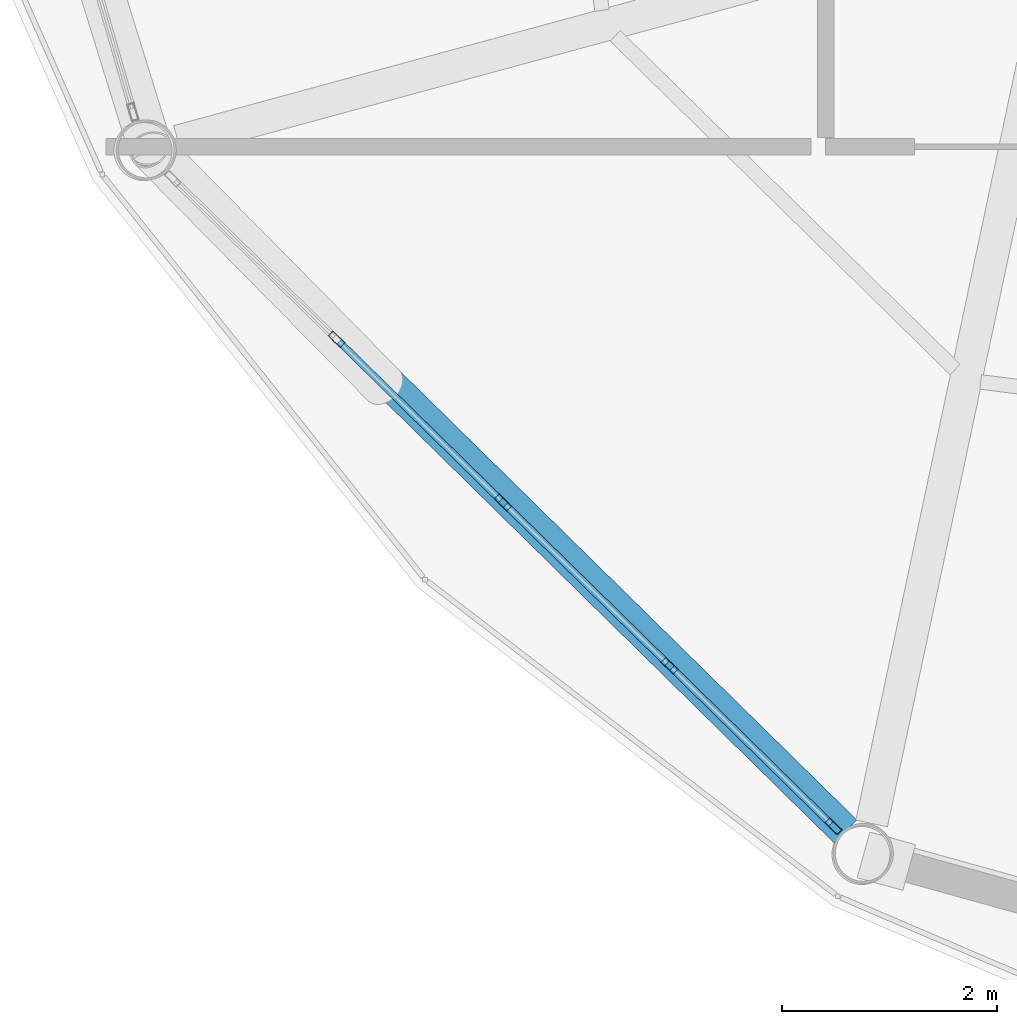
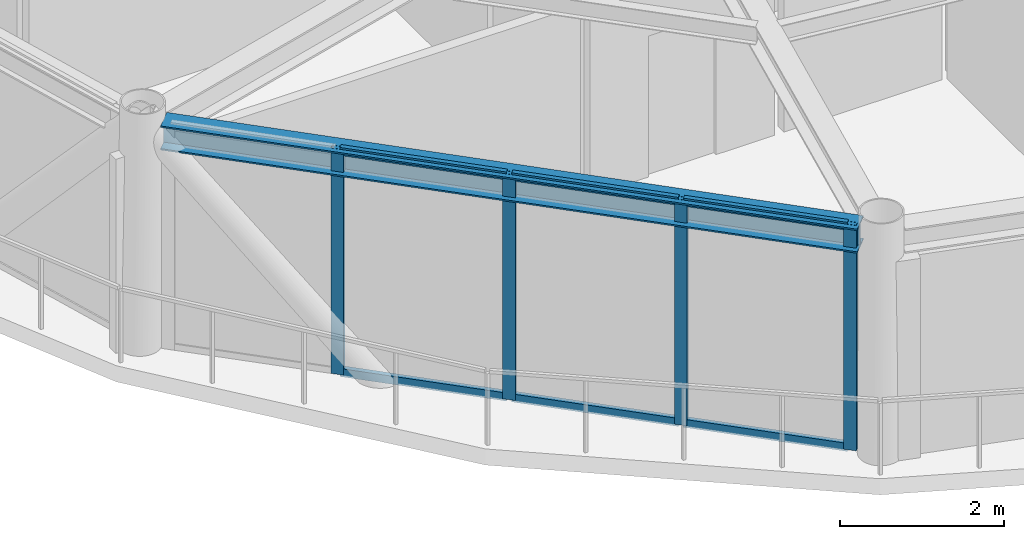
# One storey, part 2 of 26: 10 members, 1 beam, 1 element without a shape of its own.
"""IFC4 building model written with IfcOpenShell, lengths in metres."""

from ifc_helpers import new_model, si_unit, direction, frame, origin, origin_2d, place, context, subcontext, project, spatial, hollow_rectangle, i_section, extrude, material, layer, layer_set, material_profile, profile_set, type_object, element, aggregate, save


model = new_model("IFC4")

# Units and contexts
model_context = context("Model", 3, precision=1e-05, world=origin(), true_north=direction((0.0, 1.0)))
body_context = subcontext(model_context, "Body", "Model", "MODEL_VIEW")
ifc_project = project(units=[si_unit("LENGTHUNIT", "METRE"), si_unit("AREAUNIT", "SQUARE_METRE"), si_unit("VOLUMEUNIT", "CUBIC_METRE"), si_unit("PLANEANGLEUNIT", "RADIAN"), si_unit("MASSUNIT", "GRAM", prefix="KILO")], contexts=[model_context])

# Site, building, storey
site_placement = place(None, origin())
site = spatial("IfcSite", under=ifc_project, at=site_placement, CompositionType="ELEMENT")
building_placement = place(site_placement, origin())
building = spatial("IfcBuilding", under=site, at=building_placement, Name="Varnakorn Sky Granary", CompositionType="ELEMENT")
storey_placement = place(building_placement, frame((0.0, 0.0, 256.199951171875)))
storey = spatial("IfcBuildingStorey", under=building, at=storey_placement, Name="L65", CompositionType="ELEMENT", Elevation=256.199951171875)

# Beam
ifc_material_1 = material(Name="Steel S355JR", Category="steel")
ifc_material_profile_1 = material_profile(ifc_material_1, i_section(OverallWidth=0.300048828125, OverallDepth=0.360107421875, WebThickness=0.012451171875, FlangeThickness=0.0224609375, at=origin_2d()), Name="HE 360 B")
ifc_profile_set_1 = profile_set([ifc_material_profile_1], Name="Steel S355JR")
beam_type = type_object("IfcBeamType", Name="BM-SPD-Z5", PredefinedType="SPANDREL", material=ifc_profile_set_1)
beam_placement = place(storey_placement, frame((-10.685791015625, -9.103515625, 3.179931640625), z_axis=(0.713399543588, -0.700757512417, 0.0), x_axis=(0.700757512417, 0.713399543588, 0.0)))
element("IfcBeam", 1, at=beam_placement, inside=storey, type_object=beam_type, Name="Perimeter Spandrel Ring Beam RB08 L65", PredefinedType="SPANDREL", context=body_context, shape_type="SweptSolid", body=[
    extrude(i_section(OverallWidth=0.300048828125, OverallDepth=0.360107421875, WebThickness=0.012451171875, FlangeThickness=0.0224609375, at=origin_2d()), origin(), (0.0, 0.0, 1.0), 8.786865234375),
])

# Curtain wall, members
ifc_material_2 = material(Name="Anodised Bronze Aluminium Alloy 6063-T6", Category="aluminium")
ifc_layer = layer(ifc_material_2, 0.159912109375, Name="Anodised Bronze Aluminium Alloy 6063-T6")
ifc_layer_set = layer_set([ifc_layer], Name="Anodised Bronze Aluminium Alloy 6063-T6")
curtain_wall_type = type_object("IfcCurtainWallType", Name="CW-OFF-1", PredefinedType="USERDEFINED", material=ifc_layer_set)
curtain_wall_placement = place(storey_placement, origin())
curtain_wall = element("IfcCurtainWall", 2, at=curtain_wall_placement, inside=storey, type_object=curtain_wall_type, Name="Unitised Curtain Wall CW6 CW-L65-B08", ObjectType="CURTAIN WALL", PredefinedType="USERDEFINED")
ifc_material_profile_2 = material_profile(ifc_material_2, hollow_rectangle(XDim=0.06494140625, YDim=0.159912109375, WallThickness=0.00341796875, at=origin_2d()), Name="ALU MULL 65x160")
ifc_profile_set_2 = profile_set([ifc_material_profile_2], Name="Anodised Bronze Aluminium Alloy 6063-T6")
member_type_1 = type_object("IfcMemberType", Name="CW-OFF-1-MULL", PredefinedType="MULLION", material=ifc_profile_set_2)
member_1_placement = place(storey_placement, frame((-4.528076171875, -15.21533203125, 0.0), z_axis=(0.0, 0.0, 1.0), x_axis=(-0.700118147913, -0.71402701557, 0.0)))
member_1 = element("IfcMember", 3, at=member_1_placement, type_object=member_type_1, Name="CW6 mullion 1", PredefinedType="MULLION", context=body_context, shape_type="SweptSolid", body=[
    extrude(hollow_rectangle(XDim=0.06494140625, YDim=0.159912109375, WallThickness=0.00341796875, at=origin_2d()), origin(), (0.0, 0.0, 1.0), 3.360107421875),
])
member_2_placement = place(storey_placement, frame((-6.051513671875, -13.721923828125, 0.0), z_axis=(0.0, 0.0, 1.0), x_axis=(-0.700118147913, -0.71402701557, 0.0)))
member_2 = element("IfcMember", 4, at=member_2_placement, type_object=member_type_1, Name="CW6 mullion 2", PredefinedType="MULLION", context=body_context, shape_type="SweptSolid", body=[
    extrude(hollow_rectangle(XDim=0.06494140625, YDim=0.159912109375, WallThickness=0.00341796875, at=origin_2d()), origin(), (0.0, 0.0, 1.0), 3.360107421875),
])
member_3_placement = place(storey_placement, frame((-7.597900390625, -12.20556640625, 0.0), z_axis=(0.0, 0.0, 1.0), x_axis=(-0.700118147913, -0.71402701557, 0.0)))
member_3 = element("IfcMember", 5, at=member_3_placement, type_object=member_type_1, Name="CW6 mullion 3", PredefinedType="MULLION", context=body_context, shape_type="SweptSolid", body=[
    extrude(hollow_rectangle(XDim=0.06494140625, YDim=0.159912109375, WallThickness=0.00341796875, at=origin_2d()), origin(), (0.0, 0.0, 1.0), 3.360107421875),
])
member_4_placement = place(storey_placement, frame((-9.144287109375, -10.68896484375, 0.0), z_axis=(0.0, 0.0, 1.0), x_axis=(-0.700118147913, -0.71402701557, 0.0)))
member_4 = element("IfcMember", 6, at=member_4_placement, type_object=member_type_1, Name="CW6 mullion 4", PredefinedType="MULLION", context=body_context, shape_type="SweptSolid", body=[
    extrude(hollow_rectangle(XDim=0.06494140625, YDim=0.159912109375, WallThickness=0.00341796875, at=origin_2d()), origin(), (0.0, 0.0, 1.0), 3.360107421875),
])
ifc_material_profile_3 = material_profile(ifc_material_2, hollow_rectangle(XDim=0.06494140625, YDim=0.1201171875, WallThickness=0.00341796875, at=origin_2d()), Name="ALU TRAN 65x120")
ifc_profile_set_3 = profile_set([ifc_material_profile_3], Name="Anodised Bronze Aluminium Alloy 6063-T6")
member_type_2 = type_object("IfcMemberType", Name="CW-OFF-1-TRAN", PredefinedType="USERDEFINED", material=ifc_profile_set_3)
member_5_placement = place(storey_placement, frame((-4.55126953125, -15.192626953125, 0.032470703125), z_axis=(-0.714036969685, 0.7001079959, 0.0), x_axis=(-0.7001079959, -0.714036969685, 0.0)))
member_5 = element("IfcMember", 7, at=member_5_placement, type_object=member_type_2, Name="CW6 transom 1.1", ObjectType="TRANSOM", PredefinedType="USERDEFINED", context=body_context, shape_type="SweptSolid", body=[
    extrude(hollow_rectangle(XDim=0.06494140625, YDim=0.1201171875, WallThickness=0.00341796875, at=origin_2d()), origin(), (0.0, 0.0, 1.0), 2.068359375),
])
member_6_placement = place(storey_placement, frame((-4.55126953125, -15.192626953125, 3.32763671875), z_axis=(-0.714036969685, 0.7001079959, 0.0), x_axis=(-0.7001079959, -0.714036969685, 0.0)))
member_6 = element("IfcMember", 8, at=member_6_placement, type_object=member_type_2, Name="CW6 transom 1.2", ObjectType="TRANSOM", PredefinedType="USERDEFINED", context=body_context, shape_type="SweptSolid", body=[
    extrude(hollow_rectangle(XDim=0.06494140625, YDim=0.1201171875, WallThickness=0.00341796875, at=origin_2d()), origin(), (0.0, 0.0, 1.0), 2.068359375),
])
member_7_placement = place(storey_placement, frame((-6.07470703125, -13.698974609375, 0.032470703125), z_axis=(-0.714045498468, 0.700099297326, 0.0), x_axis=(-0.700099297326, -0.714045498468, 0.0)))
member_7 = element("IfcMember", 9, at=member_7_placement, type_object=member_type_2, Name="CW6 transom 2.1", ObjectType="TRANSOM", PredefinedType="USERDEFINED", context=body_context, shape_type="SweptSolid", body=[
    extrude(hollow_rectangle(XDim=0.06494140625, YDim=0.1201171875, WallThickness=0.00341796875, at=origin_2d()), origin(), (0.0, 0.0, 1.0), 2.1005859375),
])
member_8_placement = place(storey_placement, frame((-6.07470703125, -13.698974609375, 3.32763671875), z_axis=(-0.714045498468, 0.700099297326, 0.0), x_axis=(-0.700099297326, -0.714045498468, 0.0)))
member_8 = element("IfcMember", 10, at=member_8_placement, type_object=member_type_2, Name="CW6 transom 2.2", ObjectType="TRANSOM", PredefinedType="USERDEFINED", context=body_context, shape_type="SweptSolid", body=[
    extrude(hollow_rectangle(XDim=0.06494140625, YDim=0.1201171875, WallThickness=0.00341796875, at=origin_2d()), origin(), (0.0, 0.0, 1.0), 2.1005859375),
])
member_9_placement = place(storey_placement, frame((-7.62109375, -12.1826171875, 0.032470703125), z_axis=(-0.714045498468, 0.700099297326, 0.0), x_axis=(-0.700099297326, -0.714045498468, 0.0)))
member_9 = element("IfcMember", 11, at=member_9_placement, type_object=member_type_2, Name="CW6 transom 3.1", ObjectType="TRANSOM", PredefinedType="USERDEFINED", context=body_context, shape_type="SweptSolid", body=[
    extrude(hollow_rectangle(XDim=0.06494140625, YDim=0.1201171875, WallThickness=0.00341796875, at=origin_2d()), origin(), (0.0, 0.0, 1.0), 2.1005859375),
])
member_10_placement = place(storey_placement, frame((-7.62109375, -12.1826171875, 3.32763671875), z_axis=(-0.714045498468, 0.700099297326, 0.0), x_axis=(-0.700099297326, -0.714045498468, 0.0)))
member_10 = element("IfcMember", 12, at=member_10_placement, type_object=member_type_2, Name="CW6 transom 3.2", ObjectType="TRANSOM", PredefinedType="USERDEFINED", context=body_context, shape_type="SweptSolid", body=[
    extrude(hollow_rectangle(XDim=0.06494140625, YDim=0.1201171875, WallThickness=0.00341796875, at=origin_2d()), origin(), (0.0, 0.0, 1.0), 2.1005859375),
])
aggregate(curtain_wall, [member_1, member_2, member_3, member_4, member_5, member_6, member_7, member_8, member_9, member_10])

save(model, "model.ifc")
